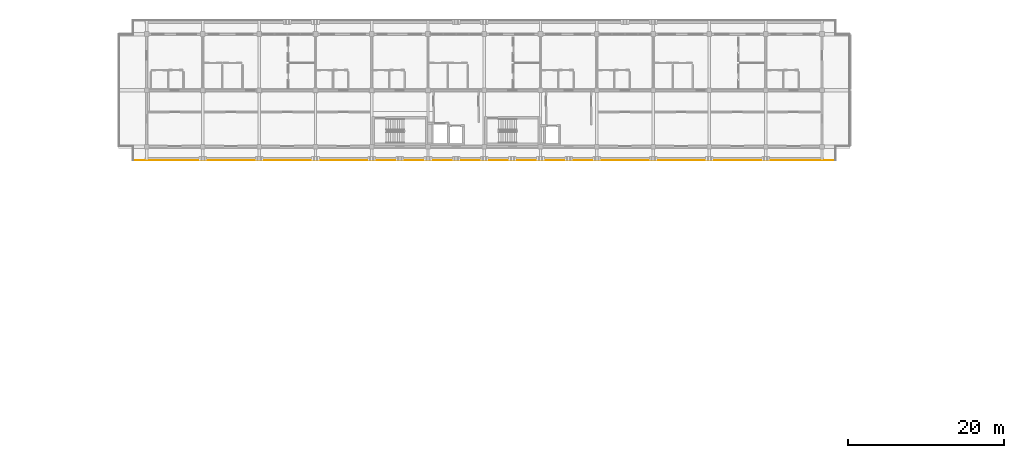
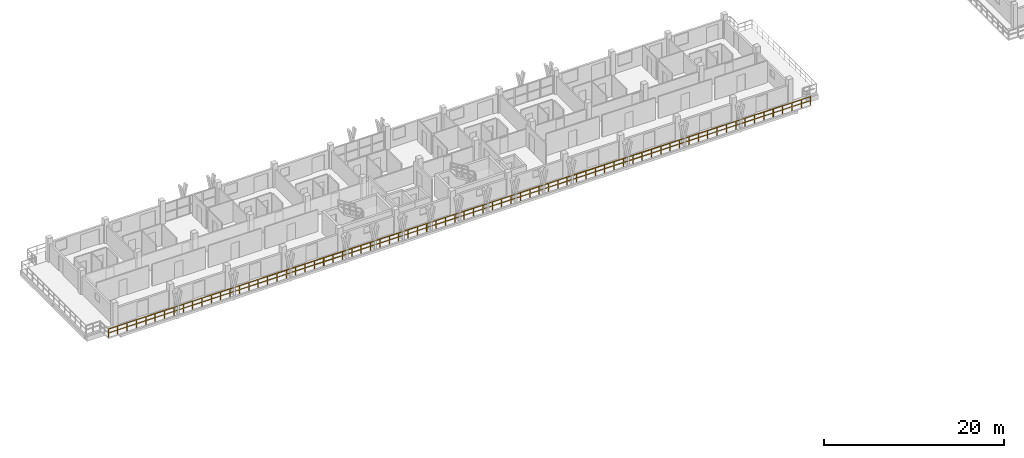
# One storey, part 56 of 65: 1 railing.
"""IFC4 building model written with IfcOpenShell, lengths in metres."""

from ifc_helpers import new_model, si_unit, direction, frame, origin, origin_2d, place, context, subcontext, project, spatial, rectangle, extrude, material, type_object, element, save


model = new_model("IFC4")

# Units and contexts
model_context = context("Model", 3, precision=1e-05, world=origin(), true_north=direction((0.0, 1.0)))
body_context = subcontext(model_context, "Body", "Model", "MODEL_VIEW")
ifc_project = project(units=[si_unit("LENGTHUNIT", "METRE"), si_unit("AREAUNIT", "SQUARE_METRE"), si_unit("VOLUMEUNIT", "CUBIC_METRE"), si_unit("PLANEANGLEUNIT", "RADIAN"), si_unit("MASSUNIT", "GRAM", prefix="KILO")], contexts=[model_context])

# Site, building, storey
site_placement = place(None, origin())
site = spatial("IfcSite", under=ifc_project, at=site_placement, CompositionType="ELEMENT")
building_placement = place(site_placement, origin())
building = spatial("IfcBuilding", under=site, at=building_placement, Name="Suanplinth Sawtooth Commons", CompositionType="ELEMENT")
storey_placement = place(building_placement, frame((0.0, 0.0, 28.300048828125)))
storey = spatial("IfcBuildingStorey", under=building, at=storey_placement, Name="L08", CompositionType="ELEMENT", Elevation=28.300048828125)

# Railing
ifc_material = material(Name="Powder-coated galvanized steel", Category="steel")
railing_type = type_object("IfcRailingType", Name="GR-01", PredefinedType="BALUSTRADE", material=ifc_material)
railing_placement = place(storey_placement, frame((102.5400390625, 106.260009765625, 0.0)))
element("IfcRailing", 1, at=railing_placement, inside=storey, type_object=railing_type, Name="L08 Block A Perimeter Balustrade 11", PredefinedType="BALUSTRADE", context=body_context, shape_type="SweptSolid", body=[
    extrude(rectangle(XDim=0.048095703125, YDim=0.048095703125, at=origin_2d()), frame((0.0, 0.0, 1.09619140625), z_axis=(-1.0, 0.0, 0.0), x_axis=(0.0, -1.0, 0.0)), (0.0, 0.0, 1.0), 89.880126953125),
    extrude(rectangle(XDim=0.03369140625, YDim=0.03369140625, at=origin_2d()), frame((0.0, 0.0, 0.56005859375), z_axis=(-1.0, 0.0, 0.0), x_axis=(0.0, -1.0, 0.0)), (0.0, 0.0, 1.0), 89.880126953125),
    extrude(rectangle(XDim=0.0419921875, YDim=0.0419921875, at=origin_2d()), origin(), (0.0, 0.0, 1.0), 1.072021484375),
    extrude(rectangle(XDim=0.0419921875, YDim=0.0419921875, at=origin_2d()), frame((-1.198486328125, 0.0, 0.0)), (0.0, 0.0, 1.0), 1.072021484375),
    extrude(rectangle(XDim=0.0419921875, YDim=0.0419921875, at=origin_2d()), frame((-2.396728515625, 0.0, 0.0)), (0.0, 0.0, 1.0), 1.072021484375),
    extrude(rectangle(XDim=0.0419921875, YDim=0.0419921875, at=origin_2d()), frame((-3.59521484375, 0.0, 0.0)), (0.0, 0.0, 1.0), 1.072021484375),
    extrude(rectangle(XDim=0.0419921875, YDim=0.0419921875, at=origin_2d()), frame((-4.793701171875, 0.0, 0.0)), (0.0, 0.0, 1.0), 1.072021484375),
    extrude(rectangle(XDim=0.0419921875, YDim=0.0419921875, at=origin_2d()), frame((-5.991943359375, 0.0, 0.0)), (0.0, 0.0, 1.0), 1.072021484375),
    extrude(rectangle(XDim=0.0419921875, YDim=0.0419921875, at=origin_2d()), frame((-7.1904296875, 0.0, 0.0)), (0.0, 0.0, 1.0), 1.072021484375),
    extrude(rectangle(XDim=0.0419921875, YDim=0.0419921875, at=origin_2d()), frame((-8.388916015625, 0.0, 0.0)), (0.0, 0.0, 1.0), 1.072021484375),
    extrude(rectangle(XDim=0.0419921875, YDim=0.0419921875, at=origin_2d()), frame((-9.587158203125, 0.0, 0.0)), (0.0, 0.0, 1.0), 1.072021484375),
    extrude(rectangle(XDim=0.0419921875, YDim=0.0419921875, at=origin_2d()), frame((-10.78564453125, 0.0, 0.0)), (0.0, 0.0, 1.0), 1.072021484375),
    extrude(rectangle(XDim=0.0419921875, YDim=0.0419921875, at=origin_2d()), frame((-11.984130859375, 0.0, 0.0)), (0.0, 0.0, 1.0), 1.072021484375),
    extrude(rectangle(XDim=0.0419921875, YDim=0.0419921875, at=origin_2d()), frame((-13.182373046875, 0.0, 0.0)), (0.0, 0.0, 1.0), 1.072021484375),
    extrude(rectangle(XDim=0.0419921875, YDim=0.0419921875, at=origin_2d()), frame((-14.380859375, 0.0, 0.0)), (0.0, 0.0, 1.0), 1.072021484375),
    extrude(rectangle(XDim=0.0419921875, YDim=0.0419921875, at=origin_2d()), frame((-15.5791015625, 0.0, 0.0)), (0.0, 0.0, 1.0), 1.072021484375),
    extrude(rectangle(XDim=0.0419921875, YDim=0.0419921875, at=origin_2d()), frame((-16.777587890625, 0.0, 0.0)), (0.0, 0.0, 1.0), 1.072021484375),
    extrude(rectangle(XDim=0.0419921875, YDim=0.0419921875, at=origin_2d()), frame((-17.97607421875, 0.0, 0.0)), (0.0, 0.0, 1.0), 1.072021484375),
    extrude(rectangle(XDim=0.0419921875, YDim=0.0419921875, at=origin_2d()), frame((-19.17431640625, 0.0, 0.0)), (0.0, 0.0, 1.0), 1.072021484375),
    extrude(rectangle(XDim=0.0419921875, YDim=0.0419921875, at=origin_2d()), frame((-20.372802734375, 0.0, 0.0)), (0.0, 0.0, 1.0), 1.072021484375),
    extrude(rectangle(XDim=0.0419921875, YDim=0.0419921875, at=origin_2d()), frame((-21.5712890625, 0.0, 0.0)), (0.0, 0.0, 1.0), 1.072021484375),
    extrude(rectangle(XDim=0.0419921875, YDim=0.0419921875, at=origin_2d()), frame((-22.76953125, 0.0, 0.0)), (0.0, 0.0, 1.0), 1.072021484375),
    extrude(rectangle(XDim=0.0419921875, YDim=0.0419921875, at=origin_2d()), frame((-23.968017578125, 0.0, 0.0)), (0.0, 0.0, 1.0), 1.072021484375),
    extrude(rectangle(XDim=0.0419921875, YDim=0.0419921875, at=origin_2d()), frame((-25.16650390625, 0.0, 0.0)), (0.0, 0.0, 1.0), 1.072021484375),
    extrude(rectangle(XDim=0.0419921875, YDim=0.0419921875, at=origin_2d()), frame((-26.36474609375, 0.0, 0.0)), (0.0, 0.0, 1.0), 1.072021484375),
    extrude(rectangle(XDim=0.0419921875, YDim=0.0419921875, at=origin_2d()), frame((-27.563232421875, 0.0, 0.0)), (0.0, 0.0, 1.0), 1.072021484375),
    extrude(rectangle(XDim=0.0419921875, YDim=0.0419921875, at=origin_2d()), frame((-28.76171875, 0.0, 0.0)), (0.0, 0.0, 1.0), 1.072021484375),
    extrude(rectangle(XDim=0.0419921875, YDim=0.0419921875, at=origin_2d()), frame((-29.9599609375, 0.0, 0.0)), (0.0, 0.0, 1.0), 1.072021484375),
    extrude(rectangle(XDim=0.0419921875, YDim=0.0419921875, at=origin_2d()), frame((-31.158447265625, 0.0, 0.0)), (0.0, 0.0, 1.0), 1.072021484375),
    extrude(rectangle(XDim=0.0419921875, YDim=0.0419921875, at=origin_2d()), frame((-32.35693359375, 0.0, 0.0)), (0.0, 0.0, 1.0), 1.072021484375),
    extrude(rectangle(XDim=0.0419921875, YDim=0.0419921875, at=origin_2d()), frame((-33.55517578125, 0.0, 0.0)), (0.0, 0.0, 1.0), 1.072021484375),
    extrude(rectangle(XDim=0.0419921875, YDim=0.0419921875, at=origin_2d()), frame((-34.753662109375, 0.0, 0.0)), (0.0, 0.0, 1.0), 1.072021484375),
    extrude(rectangle(XDim=0.0419921875, YDim=0.0419921875, at=origin_2d()), frame((-35.9521484375, 0.0, 0.0)), (0.0, 0.0, 1.0), 1.072021484375),
    extrude(rectangle(XDim=0.0419921875, YDim=0.0419921875, at=origin_2d()), frame((-37.150390625, 0.0, 0.0)), (0.0, 0.0, 1.0), 1.072021484375),
    extrude(rectangle(XDim=0.0419921875, YDim=0.0419921875, at=origin_2d()), frame((-38.348876953125, 0.0, 0.0)), (0.0, 0.0, 1.0), 1.072021484375),
    extrude(rectangle(XDim=0.0419921875, YDim=0.0419921875, at=origin_2d()), frame((-39.54736328125, 0.0, 0.0)), (0.0, 0.0, 1.0), 1.072021484375),
    extrude(rectangle(XDim=0.0419921875, YDim=0.0419921875, at=origin_2d()), frame((-40.74560546875, 0.0, 0.0)), (0.0, 0.0, 1.0), 1.072021484375),
    extrude(rectangle(XDim=0.0419921875, YDim=0.0419921875, at=origin_2d()), frame((-41.944091796875, 0.0, 0.0)), (0.0, 0.0, 1.0), 1.072021484375),
    extrude(rectangle(XDim=0.0419921875, YDim=0.0419921875, at=origin_2d()), frame((-43.142578125, 0.0, 0.0)), (0.0, 0.0, 1.0), 1.072021484375),
    extrude(rectangle(XDim=0.0419921875, YDim=0.0419921875, at=origin_2d()), frame((-44.3408203125, 0.0, 0.0)), (0.0, 0.0, 1.0), 1.072021484375),
    extrude(rectangle(XDim=0.0419921875, YDim=0.0419921875, at=origin_2d()), frame((-45.539306640625, 0.0, 0.0)), (0.0, 0.0, 1.0), 1.072021484375),
    extrude(rectangle(XDim=0.0419921875, YDim=0.0419921875, at=origin_2d()), frame((-46.737548828125, 0.0, 0.0)), (0.0, 0.0, 1.0), 1.072021484375),
    extrude(rectangle(XDim=0.0419921875, YDim=0.0419921875, at=origin_2d()), frame((-47.93603515625, 0.0, 0.0)), (0.0, 0.0, 1.0), 1.072021484375),
    extrude(rectangle(XDim=0.0419921875, YDim=0.0419921875, at=origin_2d()), frame((-49.134521484375, 0.0, 0.0)), (0.0, 0.0, 1.0), 1.072021484375),
    extrude(rectangle(XDim=0.0419921875, YDim=0.0419921875, at=origin_2d()), frame((-50.332763671875, 0.0, 0.0)), (0.0, 0.0, 1.0), 1.072021484375),
    extrude(rectangle(XDim=0.0419921875, YDim=0.0419921875, at=origin_2d()), frame((-51.53125, 0.0, 0.0)), (0.0, 0.0, 1.0), 1.072021484375),
    extrude(rectangle(XDim=0.0419921875, YDim=0.0419921875, at=origin_2d()), frame((-52.729736328125, 0.0, 0.0)), (0.0, 0.0, 1.0), 1.072021484375),
    extrude(rectangle(XDim=0.0419921875, YDim=0.0419921875, at=origin_2d()), frame((-53.927978515625, 0.0, 0.0)), (0.0, 0.0, 1.0), 1.072021484375),
    extrude(rectangle(XDim=0.0419921875, YDim=0.0419921875, at=origin_2d()), frame((-55.12646484375, 0.0, 0.0)), (0.0, 0.0, 1.0), 1.072021484375),
    extrude(rectangle(XDim=0.0419921875, YDim=0.0419921875, at=origin_2d()), frame((-56.324951171875, 0.0, 0.0)), (0.0, 0.0, 1.0), 1.072021484375),
    extrude(rectangle(XDim=0.0419921875, YDim=0.0419921875, at=origin_2d()), frame((-57.523193359375, 0.0, 0.0)), (0.0, 0.0, 1.0), 1.072021484375),
    extrude(rectangle(XDim=0.0419921875, YDim=0.0419921875, at=origin_2d()), frame((-58.7216796875, 0.0, 0.0)), (0.0, 0.0, 1.0), 1.072021484375),
    extrude(rectangle(XDim=0.0419921875, YDim=0.0419921875, at=origin_2d()), frame((-59.920166015625, 0.0, 0.0)), (0.0, 0.0, 1.0), 1.072021484375),
    extrude(rectangle(XDim=0.0419921875, YDim=0.0419921875, at=origin_2d()), frame((-61.118408203125, 0.0, 0.0)), (0.0, 0.0, 1.0), 1.072021484375),
    extrude(rectangle(XDim=0.0419921875, YDim=0.0419921875, at=origin_2d()), frame((-62.31689453125, 0.0, 0.0)), (0.0, 0.0, 1.0), 1.072021484375),
    extrude(rectangle(XDim=0.0419921875, YDim=0.0419921875, at=origin_2d()), frame((-63.515380859375, 0.0, 0.0)), (0.0, 0.0, 1.0), 1.072021484375),
    extrude(rectangle(XDim=0.0419921875, YDim=0.0419921875, at=origin_2d()), frame((-64.713623046875, 0.0, 0.0)), (0.0, 0.0, 1.0), 1.072021484375),
    extrude(rectangle(XDim=0.0419921875, YDim=0.0419921875, at=origin_2d()), frame((-65.912109375, 0.0, 0.0)), (0.0, 0.0, 1.0), 1.072021484375),
    extrude(rectangle(XDim=0.0419921875, YDim=0.0419921875, at=origin_2d()), frame((-67.110595703125, 0.0, 0.0)), (0.0, 0.0, 1.0), 1.072021484375),
    extrude(rectangle(XDim=0.0419921875, YDim=0.0419921875, at=origin_2d()), frame((-68.308837890625, 0.0, 0.0)), (0.0, 0.0, 1.0), 1.072021484375),
    extrude(rectangle(XDim=0.0419921875, YDim=0.0419921875, at=origin_2d()), frame((-69.50732421875, 0.0, 0.0)), (0.0, 0.0, 1.0), 1.072021484375),
    extrude(rectangle(XDim=0.0419921875, YDim=0.0419921875, at=origin_2d()), frame((-70.705810546875, 0.0, 0.0)), (0.0, 0.0, 1.0), 1.072021484375),
    extrude(rectangle(XDim=0.0419921875, YDim=0.0419921875, at=origin_2d()), frame((-71.904052734375, 0.0, 0.0)), (0.0, 0.0, 1.0), 1.072021484375),
    extrude(rectangle(XDim=0.0419921875, YDim=0.0419921875, at=origin_2d()), frame((-73.1025390625, 0.0, 0.0)), (0.0, 0.0, 1.0), 1.072021484375),
    extrude(rectangle(XDim=0.0419921875, YDim=0.0419921875, at=origin_2d()), frame((-74.301025390625, 0.0, 0.0)), (0.0, 0.0, 1.0), 1.072021484375),
    extrude(rectangle(XDim=0.0419921875, YDim=0.0419921875, at=origin_2d()), frame((-75.499267578125, 0.0, 0.0)), (0.0, 0.0, 1.0), 1.072021484375),
    extrude(rectangle(XDim=0.0419921875, YDim=0.0419921875, at=origin_2d()), frame((-76.69775390625, 0.0, 0.0)), (0.0, 0.0, 1.0), 1.072021484375),
    extrude(rectangle(XDim=0.0419921875, YDim=0.0419921875, at=origin_2d()), frame((-77.89599609375, 0.0, 0.0)), (0.0, 0.0, 1.0), 1.072021484375),
    extrude(rectangle(XDim=0.0419921875, YDim=0.0419921875, at=origin_2d()), frame((-79.094482421875, 0.0, 0.0)), (0.0, 0.0, 1.0), 1.072021484375),
    extrude(rectangle(XDim=0.0419921875, YDim=0.0419921875, at=origin_2d()), frame((-80.29296875, 0.0, 0.0)), (0.0, 0.0, 1.0), 1.072021484375),
    extrude(rectangle(XDim=0.0419921875, YDim=0.0419921875, at=origin_2d()), frame((-81.4912109375, 0.0, 0.0)), (0.0, 0.0, 1.0), 1.072021484375),
    extrude(rectangle(XDim=0.0419921875, YDim=0.0419921875, at=origin_2d()), frame((-82.689697265625, 0.0, 0.0)), (0.0, 0.0, 1.0), 1.072021484375),
    extrude(rectangle(XDim=0.0419921875, YDim=0.0419921875, at=origin_2d()), frame((-83.88818359375, 0.0, 0.0)), (0.0, 0.0, 1.0), 1.072021484375),
    extrude(rectangle(XDim=0.0419921875, YDim=0.0419921875, at=origin_2d()), frame((-85.08642578125, 0.0, 0.0)), (0.0, 0.0, 1.0), 1.072021484375),
    extrude(rectangle(XDim=0.0419921875, YDim=0.0419921875, at=origin_2d()), frame((-86.284912109375, 0.0, 0.0)), (0.0, 0.0, 1.0), 1.072021484375),
    extrude(rectangle(XDim=0.0419921875, YDim=0.0419921875, at=origin_2d()), frame((-87.4833984375, 0.0, 0.0)), (0.0, 0.0, 1.0), 1.072021484375),
    extrude(rectangle(XDim=0.0419921875, YDim=0.0419921875, at=origin_2d()), frame((-88.681640625, 0.0, 0.0)), (0.0, 0.0, 1.0), 1.072021484375),
    extrude(rectangle(XDim=0.0419921875, YDim=0.0419921875, at=origin_2d()), frame((-89.880126953125, 0.0, 0.0)), (0.0, 0.0, 1.0), 1.072021484375),
])

save(model, "model.ifc")
